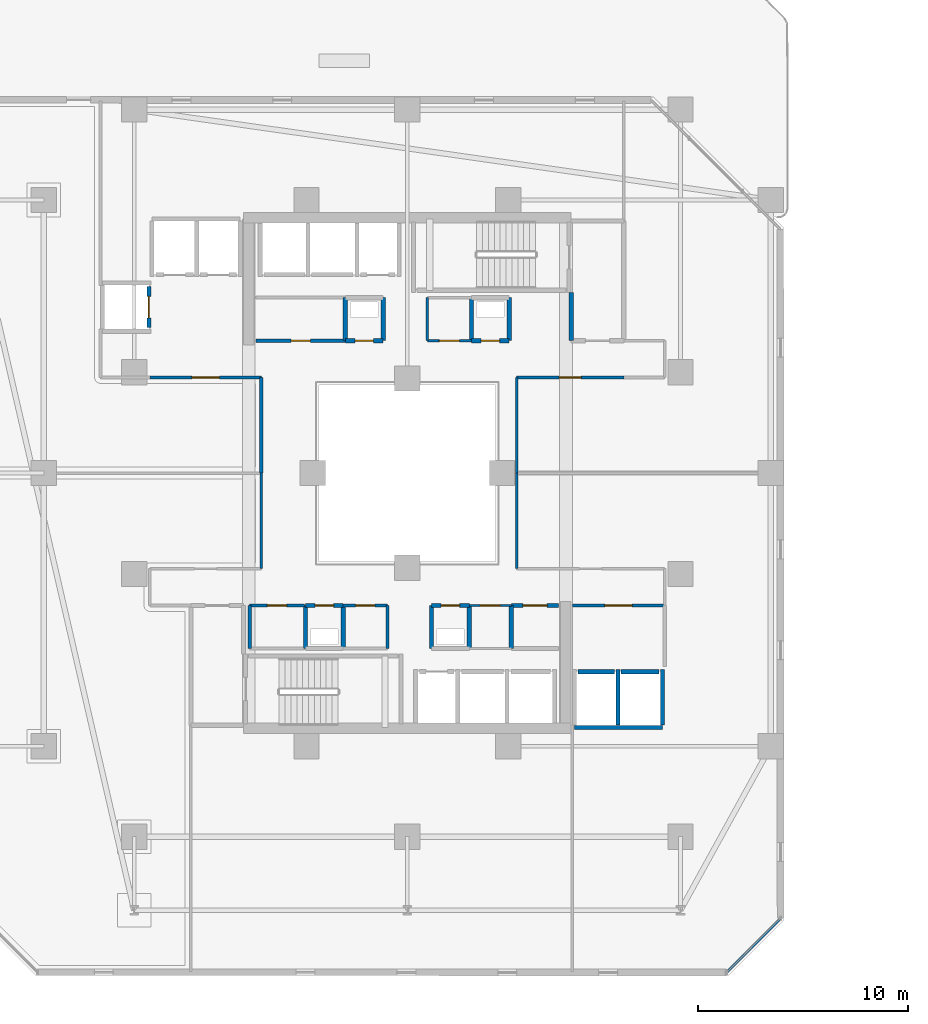
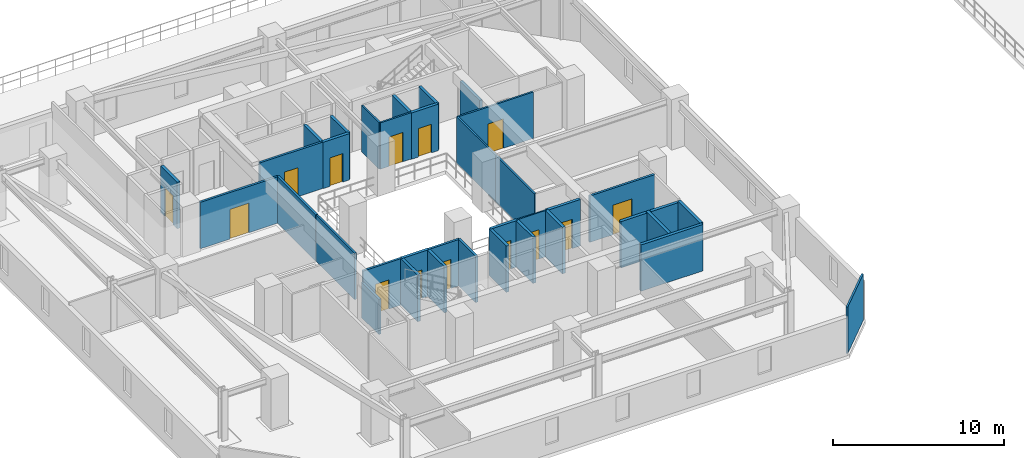
# One storey, part 19 of 31: 37 walls, 14 doors, 14 openings.
"""IFC4 building model written with IfcOpenShell, lengths in metres."""

from ifc_helpers import new_model, si_unit, direction, frame, frame_2d, origin, place, context, subcontext, project, spatial, rectangle, extrude, material, layer, layer_set, type_object, element, fill, save


model = new_model("IFC4")

# Units and contexts
model_context = context("Model", 3, precision=1e-05, world=origin(), true_north=direction((0.0, 1.0)))
body_context = subcontext(model_context, "Body", "Model", "MODEL_VIEW")
ifc_project = project(units=[si_unit("LENGTHUNIT", "METRE"), si_unit("AREAUNIT", "SQUARE_METRE"), si_unit("VOLUMEUNIT", "CUBIC_METRE"), si_unit("PLANEANGLEUNIT", "RADIAN"), si_unit("MASSUNIT", "GRAM", prefix="KILO")], contexts=[model_context])

# Site, building, storey
site_placement = place(None, origin())
site = spatial("IfcSite", under=ifc_project, at=site_placement, CompositionType="ELEMENT")
building_placement = place(site_placement, origin())
building = spatial("IfcBuilding", under=site, at=building_placement, Name="Thornwick Lancets Civic Towers", CompositionType="ELEMENT")
storey_placement = place(building_placement, frame((0.0, 0.0, 119.699951171875)))
storey = spatial("IfcBuildingStorey", under=building, at=storey_placement, Name="L31", CompositionType="ELEMENT", Elevation=119.699951171875)

# Walls
ifc_material_1 = material(Name="Concrete blockwork C40/50", Category="masonry")
ifc_layer_1 = layer(ifc_material_1, 0.199951171875, Name="Concrete blockwork C40/50")
ifc_layer_set_1 = layer_set([ifc_layer_1], Name="Concrete blockwork C40/50")
wall_type_1 = type_object("IfcWallType", Name="WALL_COMP_200", PredefinedType="STANDARD", material=ifc_layer_set_1)
wall_1_placement = place(storey_placement, frame((33.6298828125, 17.550048828125, 0.0), z_axis=(0.0, 0.0, 1.0), x_axis=(1.0, 0.0, 0.0)))
element("IfcWall", 1, at=wall_1_placement, inside=storey, type_object=wall_type_1, Name="L31 Hoistway Front Wall PL-AL2", PredefinedType="STANDARD", context=body_context, shape_type="SweptSolid", body=[
    extrude(rectangle(XDim=1.740234375, YDim=0.199951171875, at=frame_2d((0.8701171875, 0.0))), origin(), (0.0, 0.0, 1.0), 3.320068359375),
])
wall_2_placement = place(storey_placement, frame((35.679931640625, 17.550048828125, 0.0), z_axis=(0.0, 0.0, 1.0), x_axis=(1.0, 0.0, 0.0)))
element("IfcWall", 2, at=wall_2_placement, inside=storey, type_object=wall_type_1, Name="L31 Hoistway Front Wall PL-AL3", PredefinedType="STANDARD", context=body_context, shape_type="SweptSolid", body=[
    extrude(rectangle(XDim=1.7900390625, YDim=0.199951171875, at=frame_2d((0.89501953125, 0.0))), origin(), (0.0, 0.0, 1.0), 3.320068359375),
])

# Wall, opening, door
wall_3_placement = place(storey_placement, frame((13.199951171875, 33.929931640625, 0.0), z_axis=(0.0, 0.0, 1.0), x_axis=(0.0, 1.0, 0.0)))
wall_3 = element("IfcWall", 3, at=wall_3_placement, inside=storey, type_object=wall_type_1, Name="L31 Hoistway Front Wall PL-AM3", PredefinedType="STANDARD", context=body_context, shape_type="SweptSolid", body=[
    extrude(rectangle(XDim=1.940185546875, YDim=0.199951171875, at=frame_2d((0.97021484375, 0.0))), origin(), (0.0, 0.0, 1.0), 3.320068359375),
])
opening_1_placement = place(wall_3_placement, frame((0.4599609375, 0.0, 0.0)))
opening_1 = element("IfcOpeningElement", 4, at=opening_1_placement, cuts=wall_3, Name="Opening LD-PL-AM3", PredefinedType="OPENING", context=body_context, shape_type="SweptSolid", body=[
    extrude(rectangle(XDim=1.02001953125, YDim=2.06005859375, at=frame_2d((0.510009765625, 1.030029296875))), frame((0.0, 0.10986328125, 0.0), z_axis=(0.0, -1.0, 0.0), x_axis=(1.0, 0.0, 0.0)), (0.0, 0.0, 1.0), 0.219970703125),
])
ifc_material_2 = material(Name="Brushed bronze stainless steel", Category="steel")
door_type_1 = type_object("IfcDoorType", Name="DOOR_LIFT_SLIDE", OperationType="SLIDING_TO_LEFT", PredefinedType="DOOR", material=ifc_material_2)
door_1_placement = place(opening_1_placement, origin())
door_1 = element("IfcDoor", 5, at=door_1_placement, inside=storey, type_object=door_type_1, Name="L31 Sliding Lift Landing Door LD-PL-AM3", OperationType="SLIDING_TO_LEFT", OverallHeight=2.06005859375, OverallWidth=1.02001953125, PredefinedType="DOOR", context=body_context, shape_type="SweptSolid", body=[
    extrude(rectangle(XDim=1.02001953125, YDim=2.06005859375, at=frame_2d((0.510009765625, 1.030029296875))), frame((0.0, 0.02490234375, 0.0), z_axis=(0.0, -1.0, 0.0), x_axis=(1.0, 0.0, 0.0)), (0.0, 0.0, 1.0), 0.050048828125),
])
fill(opening_1, door_1)

# Walls
wall_4_placement = place(storey_placement, frame((33.451904296875, 14.89990234375, 0.0), z_axis=(0.0, 0.0, 1.0), x_axis=(1.0, 0.0, 0.0)))
element("IfcWall", 6, at=wall_4_placement, inside=storey, type_object=wall_type_1, Name="L31 Hoistway Shaft Wall PL-AL2 S", PredefinedType="STANDARD", context=body_context, shape_type="SweptSolid", body=[
    extrude(rectangle(XDim=4.196044921875, YDim=0.199951171875, at=frame_2d((2.09814453125, 0.0))), origin(), (0.0, 0.0, 1.0), 3.320068359375),
])
for number, where, z_axis, x_axis, name in (
    (7, (35.52490234375, 15.011962890625, 0.0), (0.0, 0.0, 1.0), (0.0, 1.0, 0.0), "L31 Hoistway Shaft Wall PL-AL2 E"),
    (8, (37.64990234375, 15.011962890625, 0.0), (0.0, 0.0, 1.0), (0.0, 1.0, 0.0), "L31 Hoistway Shaft Wall PL-AL3 E"),
):
    element("IfcWall", number, at=place(storey_placement, frame(where, z_axis=z_axis, x_axis=x_axis)), inside=storey, type_object=wall_type_1, Name=name, PredefinedType="STANDARD", context=body_context, shape_type="SweptSolid", body=[
        extrude(rectangle(XDim=2.635986328125, YDim=0.199951171875, at=frame_2d((1.31787109375, 0.0))), origin(), (0.0, 0.0, 1.0), 3.320068359375),
    ])
wall_5_placement = place(storey_placement, frame((33.300048828125, 35.60009765625, 0.0), z_axis=(0.0, 0.0, 1.0), x_axis=(0.0, -1.0, 0.0)))
element("IfcWall", 9, at=wall_5_placement, inside=storey, type_object=wall_type_1, Name="L31 Partition L31-A-FFLOB2 E4", PredefinedType="STANDARD", context=body_context, shape_type="SweptSolid", body=[
    extrude(rectangle(XDim=2.300048828125, YDim=0.199951171875, at=frame_2d((1.14990234375, 0.0))), origin(), (0.0, 0.0, 1.0), 2.525146484375),
])
wall_6_placement = place(storey_placement, frame((28.449951171875, 18.64990234375, 0.0), z_axis=(0.0, 0.0, 1.0), x_axis=(0.0, 1.0, 0.0)))
element("IfcWall", 10, at=wall_6_placement, inside=storey, type_object=wall_type_1, Name="L31 Partition L31-A-DUCT1 E2", PredefinedType="STANDARD", context=body_context, shape_type="SweptSolid", body=[
    extrude(rectangle(XDim=2.050048828125, YDim=0.199951171875, at=frame_2d((1.02490234375, 0.0))), origin(), (0.0, 0.0, 1.0), 3.320068359375),
])

# Wall, opening, door
wall_7_placement = place(storey_placement, frame((28.449951171875, 20.699951171875, 0.0), z_axis=(0.0, 0.0, 1.0), x_axis=(-1.0, 0.0, 0.0)))
wall_7 = element("IfcWall", 11, at=wall_7_placement, inside=storey, type_object=wall_type_1, Name="L31 Partition L31-A-DUCT1 E3", PredefinedType="STANDARD", context=body_context, shape_type="SweptSolid", body=[
    extrude(rectangle(XDim=1.800048828125, YDim=0.199951171875, at=frame_2d((0.89990234375, 0.0))), origin(), (0.0, 0.0, 1.0), 3.320068359375),
])
opening_2_placement = place(wall_7_placement, frame((0.4599609375, 0.0, 0.0)))
opening_2 = element("IfcOpeningElement", 12, at=opening_2_placement, cuts=wall_7, Name="Opening D-L31-1421", PredefinedType="OPENING", context=body_context, shape_type="SweptSolid", body=[
    extrude(rectangle(XDim=0.8798828125, YDim=2.0400390625, at=frame_2d((0.43994140625, 1.02001953125))), frame((0.0, 0.10986328125, 0.0), z_axis=(0.0, -1.0, 0.0), x_axis=(1.0, 0.0, 0.0)), (0.0, 0.0, 1.0), 0.219970703125),
])
ifc_material_3 = material(Name="Steel riser access doorset", Category="steel")
door_type_2 = type_object("IfcDoorType", Name="DOOR_RISER_850", OperationType="NOTDEFINED", PredefinedType="DOOR", material=ifc_material_3)
door_2_placement = place(opening_2_placement, origin())
door_2 = element("IfcDoor", 13, at=door_2_placement, inside=storey, type_object=door_type_2, Name="L31 South Service Duct 1 Door", OperationType="SINGLE_SWING_RIGHT", OverallHeight=2.0400390625, OverallWidth=0.8798828125, PredefinedType="DOOR", context=body_context, shape_type="SweptSolid", body=[
    extrude(rectangle(XDim=0.8798828125, YDim=2.0400390625, at=frame_2d((0.43994140625, 1.02001953125))), frame((0.0, 0.02490234375, 0.0), z_axis=(0.0, -1.0, 0.0), x_axis=(1.0, 0.0, 0.0)), (0.0, 0.0, 1.0), 0.050048828125),
])
fill(opening_2, door_2)

# Walls
for number, where, z_axis, x_axis, name in (
    (14, (26.64990234375, 20.699951171875, 0.0), (0.0, 0.0, 1.0), (0.0, -1.0, 0.0), "L31 Partition L31-A-DUCT1 E4"),
    (15, (22.449951171875, 18.64990234375, 0.0), (0.0, 0.0, 1.0), (0.0, 1.0, 0.0), "L31 Partition L31-A-RISER1 E2"),
):
    element("IfcWall", number, at=place(storey_placement, frame(where, z_axis=z_axis, x_axis=x_axis)), inside=storey, type_object=wall_type_1, Name=name, PredefinedType="STANDARD", context=body_context, shape_type="SweptSolid", body=[
        extrude(rectangle(XDim=2.050048828125, YDim=0.199951171875, at=frame_2d((1.02490234375, 0.0))), origin(), (0.0, 0.0, 1.0), 3.320068359375),
    ])

# Wall, opening, door
wall_8_placement = place(storey_placement, frame((22.449951171875, 20.699951171875, 0.0), z_axis=(0.0, 0.0, 1.0), x_axis=(-1.0, 0.0, 0.0)))
wall_8 = element("IfcWall", 16, at=wall_8_placement, inside=storey, type_object=wall_type_1, Name="L31 Partition L31-A-RISER1 E3", PredefinedType="STANDARD", context=body_context, shape_type="SweptSolid", body=[
    extrude(rectangle(XDim=1.800048828125, YDim=0.199951171875, at=frame_2d((0.89990234375, 0.0))), origin(), (0.0, 0.0, 1.0), 3.320068359375),
])
opening_3_placement = place(wall_8_placement, frame((0.4599609375, 0.0, 0.0)))
opening_3 = element("IfcOpeningElement", 17, at=opening_3_placement, cuts=wall_8, Name="Opening D-L31-1422", PredefinedType="OPENING", context=body_context, shape_type="SweptSolid", body=[
    extrude(rectangle(XDim=0.8798828125, YDim=2.0400390625, at=frame_2d((0.43994140625, 1.02001953125))), frame((0.0, 0.10986328125, 0.0), z_axis=(0.0, -1.0, 0.0), x_axis=(1.0, 0.0, 0.0)), (0.0, 0.0, 1.0), 0.219970703125),
])
door_3_placement = place(opening_3_placement, origin())
door_3 = element("IfcDoor", 18, at=door_3_placement, inside=storey, type_object=door_type_2, Name="L31 South Electrical Riser 1 Door", OperationType="SINGLE_SWING_LEFT", OverallHeight=2.0400390625, OverallWidth=0.8798828125, PredefinedType="DOOR", context=body_context, shape_type="SweptSolid", body=[
    extrude(rectangle(XDim=0.8798828125, YDim=2.0400390625, at=frame_2d((0.43994140625, 1.02001953125))), frame((0.0, 0.02490234375, 0.0), z_axis=(0.0, -1.0, 0.0), x_axis=(1.0, 0.0, 0.0)), (0.0, 0.0, 1.0), 0.050048828125),
])
fill(opening_3, door_3)

# Wall
wall_9_placement = place(storey_placement, frame((20.64990234375, 20.699951171875, 0.0), z_axis=(0.0, 0.0, 1.0), x_axis=(0.0, -1.0, 0.0)))
element("IfcWall", 19, at=wall_9_placement, inside=storey, type_object=wall_type_1, Name="L31 Partition L31-A-RISER1 E4", PredefinedType="STANDARD", context=body_context, shape_type="SweptSolid", body=[
    extrude(rectangle(XDim=2.050048828125, YDim=0.199951171875, at=frame_2d((1.02490234375, 0.0))), origin(), (0.0, 0.0, 1.0), 3.320068359375),
])

# Wall, opening, door
wall_10_placement = place(storey_placement, frame((22.550048828125, 33.300048828125, 0.0), z_axis=(0.0, 0.0, 1.0), x_axis=(1.0, 0.0, 0.0)))
wall_10 = element("IfcWall", 20, at=wall_10_placement, inside=storey, type_object=wall_type_1, Name="L31 Partition L31-A-DUCT2 E1", PredefinedType="STANDARD", context=body_context, shape_type="SweptSolid", body=[
    extrude(rectangle(XDim=1.800048828125, YDim=0.199951171875, at=frame_2d((0.89990234375, 0.0))), origin(), (0.0, 0.0, 1.0), 3.320068359375),
])
opening_4_placement = place(wall_10_placement, frame((0.4599609375, 0.0, 0.0)))
opening_4 = element("IfcOpeningElement", 21, at=opening_4_placement, cuts=wall_10, Name="Opening D-L31-1423", PredefinedType="OPENING", context=body_context, shape_type="SweptSolid", body=[
    extrude(rectangle(XDim=0.8798828125, YDim=2.0400390625, at=frame_2d((0.43994140625, 1.02001953125))), frame((0.0, 0.10986328125, 0.0), z_axis=(0.0, -1.0, 0.0), x_axis=(1.0, 0.0, 0.0)), (0.0, 0.0, 1.0), 0.219970703125),
])
door_4_placement = place(opening_4_placement, origin())
door_4 = element("IfcDoor", 22, at=door_4_placement, inside=storey, type_object=door_type_2, Name="L31 North Service Duct 2 Door", OperationType="SINGLE_SWING_RIGHT", OverallHeight=2.0400390625, OverallWidth=0.8798828125, PredefinedType="DOOR", context=body_context, shape_type="SweptSolid", body=[
    extrude(rectangle(XDim=0.8798828125, YDim=2.0400390625, at=frame_2d((0.43994140625, 1.02001953125))), frame((0.0, 0.02490234375, 0.0), z_axis=(0.0, -1.0, 0.0), x_axis=(1.0, 0.0, 0.0)), (0.0, 0.0, 1.0), 0.050048828125),
])
fill(opening_4, door_4)

# Walls
for number, where, z_axis, x_axis, name in (
    (23, (24.35009765625, 33.300048828125, 0.0), (0.0, 0.0, 1.0), (0.0, 1.0, 0.0), "L31 Partition L31-A-DUCT2 E2"),
    (24, (22.550048828125, 35.35009765625, 0.0), (0.0, 0.0, 1.0), (0.0, -1.0, 0.0), "L31 Partition L31-A-DUCT2 E4"),
):
    element("IfcWall", number, at=place(storey_placement, frame(where, z_axis=z_axis, x_axis=x_axis)), inside=storey, type_object=wall_type_1, Name=name, PredefinedType="STANDARD", context=body_context, shape_type="SweptSolid", body=[
        extrude(rectangle(XDim=2.050048828125, YDim=0.199951171875, at=frame_2d((1.02490234375, 0.0))), origin(), (0.0, 0.0, 1.0), 3.320068359375),
    ])

# Wall, opening, door
wall_11_placement = place(storey_placement, frame((28.550048828125, 33.300048828125, 0.0), z_axis=(0.0, 0.0, 1.0), x_axis=(1.0, 0.0, 0.0)))
wall_11 = element("IfcWall", 25, at=wall_11_placement, inside=storey, type_object=wall_type_1, Name="L31 Partition L31-A-RISER2 E1", PredefinedType="STANDARD", context=body_context, shape_type="SweptSolid", body=[
    extrude(rectangle(XDim=1.800048828125, YDim=0.199951171875, at=frame_2d((0.89990234375, 0.0))), origin(), (0.0, 0.0, 1.0), 3.320068359375),
])
opening_5_placement = place(wall_11_placement, frame((0.4599609375, 0.0, 0.0)))
opening_5 = element("IfcOpeningElement", 26, at=opening_5_placement, cuts=wall_11, Name="Opening D-L31-1424", PredefinedType="OPENING", context=body_context, shape_type="SweptSolid", body=[
    extrude(rectangle(XDim=0.8798828125, YDim=2.0400390625, at=frame_2d((0.43994140625, 1.02001953125))), frame((0.0, 0.10986328125, 0.0), z_axis=(0.0, -1.0, 0.0), x_axis=(1.0, 0.0, 0.0)), (0.0, 0.0, 1.0), 0.219970703125),
])
door_5_placement = place(opening_5_placement, origin())
door_5 = element("IfcDoor", 27, at=door_5_placement, inside=storey, type_object=door_type_2, Name="L31 North Service Riser 2 Door", OperationType="SINGLE_SWING_LEFT", OverallHeight=2.0400390625, OverallWidth=0.8798828125, PredefinedType="DOOR", context=body_context, shape_type="SweptSolid", body=[
    extrude(rectangle(XDim=0.8798828125, YDim=2.0400390625, at=frame_2d((0.43994140625, 1.02001953125))), frame((0.0, 0.02490234375, 0.0), z_axis=(0.0, -1.0, 0.0), x_axis=(1.0, 0.0, 0.0)), (0.0, 0.0, 1.0), 0.050048828125),
])
fill(opening_5, door_5)

# Walls
for number, where, z_axis, x_axis, name in (
    (28, (30.35009765625, 33.300048828125, 0.0), (0.0, 0.0, 1.0), (0.0, 1.0, 0.0), "L31 Partition L31-A-RISER2 E2"),
    (29, (28.550048828125, 35.35009765625, 0.0), (0.0, 0.0, 1.0), (0.0, -1.0, 0.0), "L31 Partition L31-A-RISER2 E4"),
    (30, (30.449951171875, 18.64990234375, 0.0), (0.0, 0.0, 1.0), (0.0, 1.0, 0.0), "L31 Partition L31-A-ITR2 E3"),
):
    element("IfcWall", number, at=place(storey_placement, frame(where, z_axis=z_axis, x_axis=x_axis)), inside=storey, type_object=wall_type_1, Name=name, PredefinedType="STANDARD", context=body_context, shape_type="SweptSolid", body=[
        extrude(rectangle(XDim=2.050048828125, YDim=0.199951171875, at=frame_2d((1.02490234375, 0.0))), origin(), (0.0, 0.0, 1.0), 3.320068359375),
    ])

# Wall, opening, door
wall_12_placement = place(storey_placement, frame((30.449951171875, 20.699951171875, 0.0), z_axis=(0.0, 0.0, 1.0), x_axis=(1.0, 0.0, 0.0)))
wall_12 = element("IfcWall", 31, at=wall_12_placement, inside=storey, type_object=wall_type_1, Name="L31 Partition L31-A-ITR2 E4", PredefinedType="STANDARD", context=body_context, shape_type="SweptSolid", body=[
    extrude(rectangle(XDim=2.25, YDim=0.199951171875, at=frame_2d((1.125, 0.0))), origin(), (0.0, 0.0, 1.0), 3.320068359375),
])
opening_6_placement = place(wall_12_placement, frame((0.550048828125, 0.0, 0.0)))
opening_6 = element("IfcOpeningElement", 32, at=opening_6_placement, cuts=wall_12, Name="Opening D-L31-1428", PredefinedType="OPENING", context=body_context, shape_type="SweptSolid", body=[
    extrude(rectangle(XDim=1.14990234375, YDim=2.10009765625, at=frame_2d((0.574951171875, 1.050048828125))), frame((0.0, 0.10986328125, 0.0), z_axis=(0.0, -1.0, 0.0), x_axis=(1.0, 0.0, 0.0)), (0.0, 0.0, 1.0), 0.219970703125),
])
ifc_material_4 = material(Name="Glazed fire-resisting steel", Category="steel")
door_type_3 = type_object("IfcDoorType", Name="DOOR_LOBBY_FD60", OperationType="NOTDEFINED", PredefinedType="DOOR", material=ifc_material_4)
door_6_placement = place(opening_6_placement, origin())
door_6 = element("IfcDoor", 33, at=door_6_placement, inside=storey, type_object=door_type_3, Name="L31 Tower A Statutory Core Archive Door", OperationType="SINGLE_SWING_LEFT", OverallHeight=2.10009765625, OverallWidth=1.14990234375, PredefinedType="DOOR", context=body_context, shape_type="SweptSolid", body=[
    extrude(rectangle(XDim=1.14990234375, YDim=2.10009765625, at=frame_2d((0.574951171875, 1.050048828125))), frame((0.0, 0.02490234375, 0.0), z_axis=(0.0, -1.0, 0.0), x_axis=(1.0, 0.0, 0.0)), (0.0, 0.0, 1.0), 0.050048828125),
])
fill(opening_6, door_6)

ifc_material_5 = material(Name="Lightweight cellular office partition")
ifc_layer_2 = layer(ifc_material_5, 0.10009765625, Name="Lightweight cellular office partition")
ifc_layer_set_2 = layer_set([ifc_layer_2], Name="Lightweight cellular office partition")
wall_type_2 = type_object("IfcWallType", Name="WALL_PART_100", PredefinedType="PARTITIONING", material=ifc_layer_set_2)
wall_13_placement = place(storey_placement, frame((28.449951171875, 20.699951171875, 0.0), z_axis=(0.0, 0.0, 1.0), x_axis=(1.0, 0.0, 0.0)))
wall_13 = element("IfcWall", 34, at=wall_13_placement, inside=storey, type_object=wall_type_2, Name="L31 Partition L31-A-CLN E4", PredefinedType="PARTITIONING", context=body_context, shape_type="SweptSolid", body=[
    extrude(rectangle(XDim=2.0, YDim=0.10009765625, at=frame_2d((1.0, 0.0))), origin(), (0.0, 0.0, 1.0), 3.320068359375),
])
opening_7_placement = place(wall_13_placement, frame((0.52490234375, 0.0, 0.0)))
opening_7 = element("IfcOpeningElement", 35, at=opening_7_placement, cuts=wall_13, Name="Opening D-L31-1427", PredefinedType="OPENING", context=body_context, shape_type="SweptSolid", body=[
    extrude(rectangle(XDim=0.949951171875, YDim=2.10009765625, at=frame_2d((0.47509765625, 1.050048828125))), frame((0.0, 0.06005859375, 0.0), z_axis=(0.0, -1.0, 0.0), x_axis=(1.0, 0.0, 0.0)), (0.0, 0.0, 1.0), 0.1201171875),
])
ifc_material_6 = material(Name="European oak acoustic doorset")
door_type_4 = type_object("IfcDoorType", Name="DOOR_OFFICE_950", OperationType="NOTDEFINED", PredefinedType="DOOR", material=ifc_material_6)
door_7_placement = place(opening_7_placement, origin())
door_7 = element("IfcDoor", 36, at=door_7_placement, inside=storey, type_object=door_type_4, Name="L31 Tower A Cleaners Store Door", OperationType="SINGLE_SWING_RIGHT", OverallHeight=2.10009765625, OverallWidth=0.949951171875, PredefinedType="DOOR", context=body_context, shape_type="SweptSolid", body=[
    extrude(rectangle(XDim=0.949951171875, YDim=2.10009765625, at=frame_2d((0.47509765625, 1.050048828125))), frame((0.0, 0.02490234375, 0.0), z_axis=(0.0, -1.0, 0.0), x_axis=(1.0, 0.0, 0.0)), (0.0, 0.0, 1.0), 0.050048828125),
])
fill(opening_7, door_7)

# Wall
ifc_material_7 = material(Name="Acoustic gypsum board partition")
ifc_layer_3 = layer(ifc_material_7, 0.1201171875, Name="Acoustic gypsum board partition")
ifc_layer_set_3 = layer_set([ifc_layer_3], Name="Acoustic gypsum board partition")
wall_type_3 = type_object("IfcWallType", Name="WALL_PART_120", PredefinedType="PARTITIONING", material=ifc_layer_set_3)
wall_14_placement = place(storey_placement, frame((26.449951171875, 33.300048828125, 0.0), z_axis=(0.0, 0.0, 1.0), x_axis=(0.0, 1.0, 0.0)))
element("IfcWall", 37, at=wall_14_placement, inside=storey, type_object=wall_type_3, Name="L31 Partition L31-A-ITR E1", PredefinedType="PARTITIONING", context=body_context, shape_type="SweptSolid", body=[
    extrude(rectangle(XDim=2.050048828125, YDim=0.1201171875, at=frame_2d((1.02490234375, 0.0))), origin(), (0.0, 0.0, 1.0), 3.320068359375),
])

# Wall, opening, door
wall_15_placement = place(storey_placement, frame((28.550048828125, 33.300048828125, 0.0), z_axis=(0.0, 0.0, 1.0), x_axis=(-1.0, 0.0, 0.0)))
wall_15 = element("IfcWall", 38, at=wall_15_placement, inside=storey, type_object=wall_type_3, Name="L31 Partition L31-A-ITR E4", PredefinedType="PARTITIONING", context=body_context, shape_type="SweptSolid", body=[
    extrude(rectangle(XDim=2.10009765625, YDim=0.1201171875, at=frame_2d((1.050048828125, 0.0))), origin(), (0.0, 0.0, 1.0), 3.320068359375),
])
opening_8_placement = place(wall_15_placement, frame((0.574951171875, 0.0, 0.0)))
opening_8 = element("IfcOpeningElement", 39, at=opening_8_placement, cuts=wall_15, Name="Opening D-L31-1430", PredefinedType="OPENING", context=body_context, shape_type="SweptSolid", body=[
    extrude(rectangle(XDim=0.949951171875, YDim=2.10009765625, at=frame_2d((0.47509765625, 1.050048828125))), frame((0.0, 0.070068359375, 0.0), z_axis=(0.0, -1.0, 0.0), x_axis=(1.0, 0.0, 0.0)), (0.0, 0.0, 1.0), 0.14013671875),
])
door_8_placement = place(opening_8_placement, origin())
door_8 = element("IfcDoor", 40, at=door_8_placement, inside=storey, type_object=door_type_4, Name="L31 Tower A Comms Patch Room Door", OperationType="SINGLE_SWING_LEFT", OverallHeight=2.10009765625, OverallWidth=0.949951171875, PredefinedType="DOOR", context=body_context, shape_type="SweptSolid", body=[
    extrude(rectangle(XDim=0.949951171875, YDim=2.10009765625, at=frame_2d((0.47509765625, 1.050048828125))), frame((0.0, 0.02490234375, 0.0), z_axis=(0.0, -1.0, 0.0), x_axis=(1.0, 0.0, 0.0)), (0.0, 0.0, 1.0), 0.050048828125),
])
fill(opening_8, door_8)

# Walls
for number, where, z_axis, x_axis, name in (
    (41, (18.550048828125, 27.0, 0.0), (0.0, 0.0, 1.0), (0.0, -1.0, 0.0), "L31 Partition L31-A-W1 E10"),
    (42, (30.699951171875, 22.449951171875, 0.0), (0.0, 0.0, 1.0), (0.0, 1.0, 0.0), "L31 Partition L31-A-E1 E7"),
):
    element("IfcWall", number, at=place(storey_placement, frame(where, z_axis=z_axis, x_axis=x_axis)), inside=storey, type_object=wall_type_3, Name=name, PredefinedType="PARTITIONING", context=body_context, shape_type="SweptSolid", body=[
        extrude(rectangle(XDim=4.550048828125, YDim=0.1201171875, at=frame_2d((2.27490234375, 0.0))), origin(), (0.0, 0.0, 1.0), 3.320068359375),
    ])
wall_16_placement = place(storey_placement, frame((43.219970703125, 5.774658203125, 0.0), z_axis=(0.0, 0.0, 1.0), x_axis=(-0.707106781187, -0.707106781187, 0.0)))
element("IfcWall", 43, at=wall_16_placement, inside=storey, type_object=wall_type_3, Name="L31 Partition L31-A-E1 E10", PredefinedType="PARTITIONING", context=body_context, shape_type="SweptSolid", body=[
    extrude(rectangle(XDim=3.52783203125, YDim=0.1201171875, at=frame_2d((1.763916015625, 0.0))), origin(), (0.0, 0.0, 1.0), 3.320068359375),
])

# Wall, opening, door
wall_17_placement = place(storey_placement, frame((30.699951171875, 31.550048828125, 0.0), z_axis=(0.0, 0.0, 1.0), x_axis=(1.0, 0.0, 0.0)))
wall_17 = element("IfcWall", 44, at=wall_17_placement, inside=storey, type_object=wall_type_3, Name="L31 Partition L31-A-E3 E1", PredefinedType="PARTITIONING", context=body_context, shape_type="SweptSolid", body=[
    extrude(rectangle(XDim=5.10009765625, YDim=0.1201171875, at=frame_2d((2.550048828125, 0.0))), origin(), (0.0, 0.0, 1.0), 3.320068359375),
])
opening_9_placement = place(wall_17_placement, frame((2.02490234375, 0.0, 0.0)))
opening_9 = element("IfcOpeningElement", 45, at=opening_9_placement, cuts=wall_17, Name="Opening D-L31-1447", PredefinedType="OPENING", context=body_context, shape_type="SweptSolid", body=[
    extrude(rectangle(XDim=1.050048828125, YDim=2.10009765625, at=frame_2d((0.52490234375, 1.050048828125))), frame((0.0, 0.070068359375, 0.0), z_axis=(0.0, -1.0, 0.0), x_axis=(1.0, 0.0, 0.0)), (0.0, 0.0, 1.0), 0.14013671875),
])
ifc_material_8 = material(Name="Glazed European oak executive doorset")
door_type_5 = type_object("IfcDoorType", Name="DOOR_OFFICE_1050", OperationType="NOTDEFINED", PredefinedType="DOOR", material=ifc_material_8)
door_9_placement = place(opening_9_placement, origin())
door_9 = element("IfcDoor", 46, at=door_9_placement, inside=storey, type_object=door_type_5, Name="L31 Tower A Civic Seminar Room Door", OperationType="SINGLE_SWING_RIGHT", OverallHeight=2.10009765625, OverallWidth=1.050048828125, PredefinedType="DOOR", context=body_context, shape_type="SweptSolid", body=[
    extrude(rectangle(XDim=1.050048828125, YDim=2.10009765625, at=frame_2d((0.52490234375, 1.050048828125))), frame((0.0, 0.02490234375, 0.0), z_axis=(0.0, -1.0, 0.0), x_axis=(1.0, 0.0, 0.0)), (0.0, 0.0, 1.0), 0.050048828125),
])
fill(opening_9, door_9)

# Wall
wall_18_placement = place(storey_placement, frame((30.699951171875, 27.0, 0.0), z_axis=(0.0, 0.0, 1.0), x_axis=(0.0, 1.0, 0.0)))
element("IfcWall", 47, at=wall_18_placement, inside=storey, type_object=wall_type_3, Name="L31 Partition L31-A-E3 E11", PredefinedType="PARTITIONING", context=body_context, shape_type="SweptSolid", body=[
    extrude(rectangle(XDim=4.550048828125, YDim=0.1201171875, at=frame_2d((2.27490234375, 0.0))), origin(), (0.0, 0.0, 1.0), 3.320068359375),
])

# Wall, opening, door
ifc_material_9 = material(Name="Twin-stud acoustic gypsum board")
ifc_layer_4 = layer(ifc_material_9, 0.14990234375, Name="Twin-stud acoustic gypsum board")
ifc_layer_set_4 = layer_set([ifc_layer_4], Name="Twin-stud acoustic gypsum board")
wall_type_4 = type_object("IfcWallType", Name="WALL_PART_150", PredefinedType="PARTITIONING", material=ifc_layer_set_4)
wall_19_placement = place(storey_placement, frame((20.60009765625, 20.699951171875, 0.0), z_axis=(0.0, 0.0, 1.0), x_axis=(-1.0, 0.0, 0.0)))
wall_19 = element("IfcWall", 48, at=wall_19_placement, inside=storey, type_object=wall_type_4, Name="L31 Partition L31-A-MWC E3", PredefinedType="PARTITIONING", context=body_context, shape_type="SweptSolid", body=[
    extrude(rectangle(XDim=2.60009765625, YDim=0.14990234375, at=frame_2d((1.300048828125, 0.0))), origin(), (0.0, 0.0, 1.0), 3.320068359375),
])
opening_10_placement = place(wall_19_placement, frame((0.840087890625, 0.0, 0.0)))
opening_10 = element("IfcOpeningElement", 49, at=opening_10_placement, cuts=wall_19, Name="Opening D-L31-1425", PredefinedType="OPENING", context=body_context, shape_type="SweptSolid", body=[
    extrude(rectangle(XDim=0.919921875, YDim=2.080078125, at=frame_2d((0.4599609375, 1.0400390625))), frame((0.0, 0.0849609375, 0.0), z_axis=(0.0, -1.0, 0.0), x_axis=(1.0, 0.0, 0.0)), (0.0, 0.0, 1.0), 0.169921875),
])
ifc_material_10 = material(Name="Moisture-resistant oak doorset")
door_type_6 = type_object("IfcDoorType", Name="DOOR_WC_900", OperationType="NOTDEFINED", PredefinedType="DOOR", material=ifc_material_10)
door_10_placement = place(opening_10_placement, origin())
door_10 = element("IfcDoor", 50, at=door_10_placement, inside=storey, type_object=door_type_6, Name="L31 Tower A Male WC Door", OperationType="SINGLE_SWING_RIGHT", OverallHeight=2.080078125, OverallWidth=0.919921875, PredefinedType="DOOR", context=body_context, shape_type="SweptSolid", body=[
    extrude(rectangle(XDim=0.919921875, YDim=2.080078125, at=frame_2d((0.4599609375, 1.0400390625))), frame((0.0, 0.02490234375, 0.0), z_axis=(0.0, -1.0, 0.0), x_axis=(1.0, 0.0, 0.0)), (0.0, 0.0, 1.0), 0.050048828125),
])
fill(opening_10, door_10)

# Walls
wall_20_placement = place(storey_placement, frame((18.0, 20.699951171875, 0.0), z_axis=(0.0, 0.0, 1.0), x_axis=(0.0, -1.0, 0.0)))
element("IfcWall", 51, at=wall_20_placement, inside=storey, type_object=wall_type_4, Name="L31 Partition L31-A-MWC E4", PredefinedType="PARTITIONING", context=body_context, shape_type="SweptSolid", body=[
    extrude(rectangle(XDim=2.050048828125, YDim=0.14990234375, at=frame_2d((1.02490234375, 0.0))), origin(), (0.0, 0.0, 1.0), 2.525146484375),
])
wall_21_placement = place(storey_placement, frame((24.550048828125, 20.699951171875, 0.0), z_axis=(0.0, 0.0, 1.0), x_axis=(0.0, -1.0, 0.0)))
element("IfcWall", 52, at=wall_21_placement, inside=storey, type_object=wall_type_4, Name="L31 Partition L31-A-AWC E1", PredefinedType="PARTITIONING", context=body_context, shape_type="SweptSolid", body=[
    extrude(rectangle(XDim=2.050048828125, YDim=0.14990234375, at=frame_2d((1.02490234375, 0.0))), origin(), (0.0, 0.0, 1.0), 3.320068359375),
])

# Wall, opening, door
wall_22_placement = place(storey_placement, frame((22.449951171875, 20.699951171875, 0.0), z_axis=(0.0, 0.0, 1.0), x_axis=(1.0, 0.0, 0.0)))
wall_22 = element("IfcWall", 53, at=wall_22_placement, inside=storey, type_object=wall_type_4, Name="L31 Partition L31-A-AWC E4", PredefinedType="PARTITIONING", context=body_context, shape_type="SweptSolid", body=[
    extrude(rectangle(XDim=2.10009765625, YDim=0.14990234375, at=frame_2d((1.050048828125, 0.0))), origin(), (0.0, 0.0, 1.0), 3.320068359375),
])
opening_11_placement = place(wall_22_placement, frame((0.590087890625, 0.0, 0.0)))
opening_11 = element("IfcOpeningElement", 54, at=opening_11_placement, cuts=wall_22, Name="Opening D-L31-1426", PredefinedType="OPENING", context=body_context, shape_type="SweptSolid", body=[
    extrude(rectangle(XDim=0.919921875, YDim=2.080078125, at=frame_2d((0.4599609375, 1.0400390625))), frame((0.0, 0.0849609375, 0.0), z_axis=(0.0, -1.0, 0.0), x_axis=(1.0, 0.0, 0.0)), (0.0, 0.0, 1.0), 0.169921875),
])
door_11_placement = place(opening_11_placement, origin())
door_11 = element("IfcDoor", 55, at=door_11_placement, inside=storey, type_object=door_type_6, Name="L31 Tower A Accessible WC Door", OperationType="SINGLE_SWING_LEFT", OverallHeight=2.080078125, OverallWidth=0.919921875, PredefinedType="DOOR", context=body_context, shape_type="SweptSolid", body=[
    extrude(rectangle(XDim=0.919921875, YDim=2.080078125, at=frame_2d((0.4599609375, 1.0400390625))), frame((0.0, 0.02490234375, 0.0), z_axis=(0.0, -1.0, 0.0), x_axis=(1.0, 0.0, 0.0)), (0.0, 0.0, 1.0), 0.050048828125),
])
fill(opening_11, door_11)

wall_23_placement = place(storey_placement, frame((22.550048828125, 33.300048828125, 0.0), z_axis=(0.0, 0.0, 1.0), x_axis=(-1.0, 0.0, 0.0)))
wall_23 = element("IfcWall", 56, at=wall_23_placement, inside=storey, type_object=wall_type_4, Name="L31 Partition L31-A-FWC E4", PredefinedType="PARTITIONING", context=body_context, shape_type="SweptSolid", body=[
    extrude(rectangle(XDim=4.25, YDim=0.14990234375, at=frame_2d((2.125, 0.0))), origin(), (0.0, 0.0, 1.0), 3.320068359375),
])
opening_12_placement = place(wall_23_placement, frame((1.6650390625, 0.0, 0.0)))
opening_12 = element("IfcOpeningElement", 57, at=opening_12_placement, cuts=wall_23, Name="Opening D-L31-1429", PredefinedType="OPENING", context=body_context, shape_type="SweptSolid", body=[
    extrude(rectangle(XDim=0.919921875, YDim=2.080078125, at=frame_2d((0.4599609375, 1.0400390625))), frame((0.0, 0.0849609375, 0.0), z_axis=(0.0, -1.0, 0.0), x_axis=(1.0, 0.0, 0.0)), (0.0, 0.0, 1.0), 0.169921875),
])
door_12_placement = place(opening_12_placement, origin())
door_12 = element("IfcDoor", 58, at=door_12_placement, inside=storey, type_object=door_type_6, Name="L31 Tower A Female WC Door", OperationType="SINGLE_SWING_RIGHT", OverallHeight=2.080078125, OverallWidth=0.919921875, PredefinedType="DOOR", context=body_context, shape_type="SweptSolid", body=[
    extrude(rectangle(XDim=0.919921875, YDim=2.080078125, at=frame_2d((0.4599609375, 1.0400390625))), frame((0.0, 0.02490234375, 0.0), z_axis=(0.0, -1.0, 0.0), x_axis=(1.0, 0.0, 0.0)), (0.0, 0.0, 1.0), 0.050048828125),
])
fill(opening_12, door_12)

wall_24_placement = place(storey_placement, frame((33.35009765625, 20.699951171875, 0.0), z_axis=(0.0, 0.0, 1.0), x_axis=(1.0, 0.0, 0.0)))
wall_24 = element("IfcWall", 59, at=wall_24_placement, inside=storey, type_object=wall_type_4, Name="L31 Partition L31-A-L31-SE-STUDY E3", PredefinedType="PARTITIONING", context=body_context, shape_type="SweptSolid", body=[
    extrude(rectangle(XDim=4.39990234375, YDim=0.14990234375, at=frame_2d((2.199951171875, 0.0))), origin(), (0.0, 0.0, 1.0), 3.320068359375),
])
opening_13_placement = place(wall_24_placement, frame((1.550048828125, 0.0, 0.0)))
opening_13 = element("IfcOpeningElement", 60, at=opening_13_placement, cuts=wall_24, Name="Opening D-L31-1443", PredefinedType="OPENING", context=body_context, shape_type="SweptSolid", body=[
    extrude(rectangle(XDim=1.300048828125, YDim=2.1201171875, at=frame_2d((0.64990234375, 1.06005859375))), frame((0.0, 0.0849609375, 0.0), z_axis=(0.0, -1.0, 0.0), x_axis=(1.0, 0.0, 0.0)), (0.0, 0.0, 1.0), 0.169921875),
])
ifc_material_11 = material(Name="Acoustic oak leaf-and-a-half doorset")
door_type_7 = type_object("IfcDoorType", Name="DOOR_MEET_1300", OperationType="DOUBLE_DOOR_SINGLE_SWING", PredefinedType="DOOR", material=ifc_material_11)
door_13_placement = place(opening_13_placement, origin())
door_13 = element("IfcDoor", 61, at=door_13_placement, inside=storey, type_object=door_type_7, Name="L31 Tower A Parliamentary Study Room Door", OperationType="DOUBLE_DOOR_SINGLE_SWING", OverallHeight=2.1201171875, OverallWidth=1.300048828125, PredefinedType="DOOR", context=body_context, shape_type="SweptSolid", body=[
    extrude(rectangle(XDim=1.300048828125, YDim=2.1201171875, at=frame_2d((0.64990234375, 1.06005859375))), frame((0.0, 0.02490234375, 0.0), z_axis=(0.0, -1.0, 0.0), x_axis=(1.0, 0.0, 0.0)), (0.0, 0.0, 1.0), 0.050048828125),
])
fill(opening_13, door_13)

wall_25_placement = place(storey_placement, frame((13.25, 31.550048828125, 0.0), z_axis=(0.0, 0.0, 1.0), x_axis=(1.0, 0.0, 0.0)))
wall_25 = element("IfcWall", 62, at=wall_25_placement, inside=storey, type_object=wall_type_4, Name="L31 Partition L31-A-W2 E1", PredefinedType="PARTITIONING", context=body_context, shape_type="SweptSolid", body=[
    extrude(rectangle(XDim=5.300048828125, YDim=0.14990234375, at=frame_2d((2.64990234375, 0.0))), origin(), (0.0, 0.0, 1.0), 3.320068359375),
])
opening_14_placement = place(wall_25_placement, frame((2.0, 0.0, 0.0)))
opening_14 = element("IfcOpeningElement", 63, at=opening_14_placement, cuts=wall_25, Name="Opening D-L31-1445", PredefinedType="OPENING", context=body_context, shape_type="SweptSolid", body=[
    extrude(rectangle(XDim=1.300048828125, YDim=2.1201171875, at=frame_2d((0.64990234375, 1.06005859375))), frame((0.0, 0.0849609375, 0.0), z_axis=(0.0, -1.0, 0.0), x_axis=(1.0, 0.0, 0.0)), (0.0, 0.0, 1.0), 0.169921875),
])
door_14_placement = place(opening_14_placement, origin())
door_14 = element("IfcDoor", 64, at=door_14_placement, inside=storey, type_object=door_type_7, Name="L31 Tower A Policy Briefing Room W2 Door", OperationType="DOUBLE_DOOR_SINGLE_SWING", OverallHeight=2.1201171875, OverallWidth=1.300048828125, PredefinedType="DOOR", context=body_context, shape_type="SweptSolid", body=[
    extrude(rectangle(XDim=1.300048828125, YDim=2.1201171875, at=frame_2d((0.64990234375, 1.06005859375))), frame((0.0, 0.02490234375, 0.0), z_axis=(0.0, -1.0, 0.0), x_axis=(1.0, 0.0, 0.0)), (0.0, 0.0, 1.0), 0.050048828125),
])
fill(opening_14, door_14)

# Wall
wall_26_placement = place(storey_placement, frame((18.550048828125, 31.550048828125, 0.0), z_axis=(0.0, 0.0, 1.0), x_axis=(0.0, -1.0, 0.0)))
element("IfcWall", 65, at=wall_26_placement, inside=storey, type_object=wall_type_4, Name="L31 Partition L31-A-W2 E2", PredefinedType="PARTITIONING", context=body_context, shape_type="SweptSolid", body=[
    extrude(rectangle(XDim=4.550048828125, YDim=0.14990234375, at=frame_2d((2.27490234375, 0.0))), origin(), (0.0, 0.0, 1.0), 3.320068359375),
])

save(model, "model.ifc")
